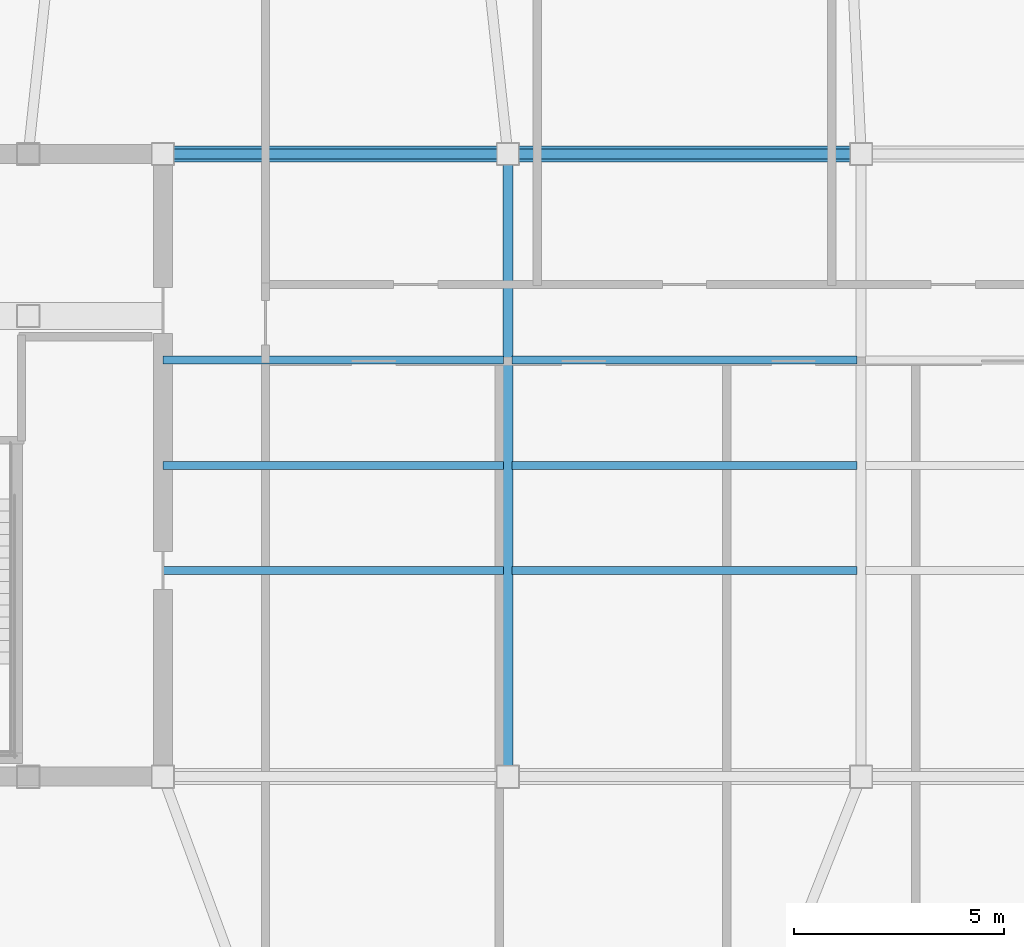
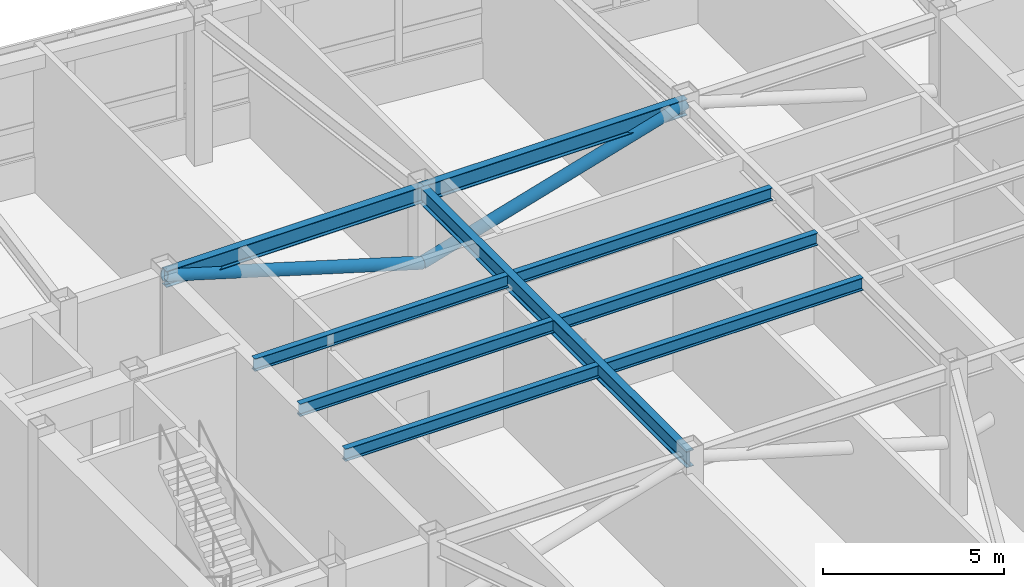
# One storey, part 8 of 23: 9 beams, 2 members.
"""IFC4 building model written with IfcOpenShell, lengths in metres."""

from ifc_helpers import new_model, si_unit, direction, frame, origin, origin_2d, place, context, subcontext, project, spatial, hollow_circle, i_section, extrude, material, material_profile, profile_set, type_object, element, save


model = new_model("IFC4")

# Units and contexts
model_context = context("Model", 3, precision=1e-05, world=origin(), true_north=direction((0.0, 1.0)))
body_context = subcontext(model_context, "Body", "Model", "MODEL_VIEW")
ifc_project = project(units=[si_unit("LENGTHUNIT", "METRE"), si_unit("AREAUNIT", "SQUARE_METRE"), si_unit("VOLUMEUNIT", "CUBIC_METRE"), si_unit("PLANEANGLEUNIT", "RADIAN"), si_unit("MASSUNIT", "GRAM", prefix="KILO")], contexts=[model_context])

# Site, building, storey
site_placement = place(None, origin())
site = spatial("IfcSite", under=ifc_project, at=site_placement, CompositionType="ELEMENT")
building_placement = place(site_placement, origin())
building = spatial("IfcBuilding", under=site, at=building_placement, Name="Voryun Gate Residences", CompositionType="ELEMENT")
storey_placement = place(building_placement, frame((0.0, 0.0, 326.60009765625)))
storey = spatial("IfcBuildingStorey", under=building, at=storey_placement, Name="L80", CompositionType="ELEMENT", Elevation=326.60009765625)

# Beams
ifc_material_1 = material(Name="Steel SM355", Category="steel")
ifc_material_profile_1 = material_profile(ifc_material_1, i_section(OverallWidth=0.239990234375, OverallDepth=0.550048828125, WebThickness=0.011962890625, FlangeThickness=0.02001953125, FilletRadius=0.01806640625, at=origin_2d()), Name="H-550x240x12x20")
ifc_profile_set_1 = profile_set([ifc_material_profile_1], Name="Steel SM355")
beam_type_1 = type_object("IfcBeamType", Name="BM_GIRD_550", PredefinedType="USERDEFINED", material=ifc_profile_set_1)
beam_1_placement = place(storey_placement, frame((-12.39990234375, 7.39990234375, 4.75), z_axis=(1.0, 0.0, 0.0), x_axis=(0.0, 1.0, 0.0)))
element("IfcBeam", 1, at=beam_1_placement, inside=storey, type_object=beam_type_1, Name="BM-L80-SPG1-N", ObjectType="GIRDER", PredefinedType="USERDEFINED", context=body_context, shape_type="SweptSolid", body=[
    extrude(i_section(OverallWidth=0.239990234375, OverallDepth=0.550048828125, WebThickness=0.011962890625, FlangeThickness=0.02001953125, FilletRadius=0.01806640625, at=origin_2d()), origin(), (0.0, 0.0, 1.0), 8.199951171875),
])
beam_2_placement = place(storey_placement, frame((-4.199951171875, 7.39990234375, 4.75), z_axis=(1.0, 0.0, 0.0), x_axis=(0.0, 1.0, 0.0)))
element("IfcBeam", 2, at=beam_2_placement, inside=storey, type_object=beam_type_1, Name="BM-L80-SPG2-N", ObjectType="GIRDER", PredefinedType="USERDEFINED", context=body_context, shape_type="SweptSolid", body=[
    extrude(i_section(OverallWidth=0.239990234375, OverallDepth=0.550048828125, WebThickness=0.011962890625, FlangeThickness=0.02001953125, FilletRadius=0.01806640625, at=origin_2d()), origin(), (0.0, 0.0, 1.0), 8.39990234375),
])
beam_3_placement = place(storey_placement, frame((-4.199951171875, -7.39990234375, 4.75), z_axis=(0.0, 1.0, 0.0), x_axis=(-1.0, 0.0, 0.0)))
element("IfcBeam", 3, at=beam_3_placement, inside=storey, type_object=beam_type_1, Name="BM-L80-SPX-W", ObjectType="GIRDER", PredefinedType="USERDEFINED", context=body_context, shape_type="SweptSolid", body=[
    extrude(i_section(OverallWidth=0.239990234375, OverallDepth=0.550048828125, WebThickness=0.011962890625, FlangeThickness=0.02001953125, FilletRadius=0.01806640625, at=origin_2d()), origin(), (0.0, 0.0, 1.0), 14.7998046875),
])
ifc_material_2 = material(Name="Steel SM355", Category="steel")
ifc_material_profile_2 = material_profile(ifc_material_2, i_section(OverallWidth=0.18994140625, OverallDepth=0.419921875, WebThickness=0.009033203125, FlangeThickness=0.01611328125, FilletRadius=0.01806640625, at=origin_2d()), Name="H-420x190x9x16")
ifc_profile_set_2 = profile_set([ifc_material_profile_2], Name="Steel SM355")
beam_type_2 = type_object("IfcBeamType", Name="BM_SEC_420", PredefinedType="BEAM", material=ifc_profile_set_2)
beam_4_placement = place(storey_placement, frame((-12.39990234375, -2.5, 4.81494140625), z_axis=(1.0, 0.0, 0.0), x_axis=(0.0, 1.0, 0.0)))
element("IfcBeam", 4, at=beam_4_placement, inside=storey, type_object=beam_type_2, Name="BM-L80-SEC-CS1", PredefinedType="BEAM", context=body_context, shape_type="SweptSolid", body=[
    extrude(i_section(OverallWidth=0.18994140625, OverallDepth=0.419921875, WebThickness=0.009033203125, FlangeThickness=0.01611328125, FilletRadius=0.01806640625, at=origin_2d()), origin(), (0.0, 0.0, 1.0), 8.099853515625),
])
beam_5_placement = place(storey_placement, frame((-4.10009765625, -2.5, 4.81494140625), z_axis=(1.0, 0.0, 0.0), x_axis=(0.0, 1.0, 0.0)))
element("IfcBeam", 5, at=beam_5_placement, inside=storey, type_object=beam_type_2, Name="BM-L80-SEC-CS2", PredefinedType="BEAM", context=body_context, shape_type="SweptSolid", body=[
    extrude(i_section(OverallWidth=0.18994140625, OverallDepth=0.419921875, WebThickness=0.009033203125, FlangeThickness=0.01611328125, FilletRadius=0.01806640625, at=origin_2d()), origin(), (0.0, 0.0, 1.0), 8.2001953125),
])
beam_6_placement = place(storey_placement, frame((-12.39990234375, 0.0, 4.81494140625), z_axis=(1.0, 0.0, 0.0), x_axis=(0.0, 1.0, 0.0)))
element("IfcBeam", 6, at=beam_6_placement, inside=storey, type_object=beam_type_2, Name="BM-L80-SEC-CM1", PredefinedType="BEAM", context=body_context, shape_type="SweptSolid", body=[
    extrude(i_section(OverallWidth=0.18994140625, OverallDepth=0.419921875, WebThickness=0.009033203125, FlangeThickness=0.01611328125, FilletRadius=0.01806640625, at=origin_2d()), origin(), (0.0, 0.0, 1.0), 8.099853515625),
])
beam_7_placement = place(storey_placement, frame((-4.10009765625, 0.0, 4.81494140625), z_axis=(1.0, 0.0, 0.0), x_axis=(0.0, 1.0, 0.0)))
element("IfcBeam", 7, at=beam_7_placement, inside=storey, type_object=beam_type_2, Name="BM-L80-SEC-CM2", PredefinedType="BEAM", context=body_context, shape_type="SweptSolid", body=[
    extrude(i_section(OverallWidth=0.18994140625, OverallDepth=0.419921875, WebThickness=0.009033203125, FlangeThickness=0.01611328125, FilletRadius=0.01806640625, at=origin_2d()), origin(), (0.0, 0.0, 1.0), 8.2001953125),
])
beam_8_placement = place(storey_placement, frame((-12.39990234375, 2.5, 4.81494140625), z_axis=(1.0, 0.0, 0.0), x_axis=(0.0, 1.0, 0.0)))
element("IfcBeam", 8, at=beam_8_placement, inside=storey, type_object=beam_type_2, Name="BM-L80-SEC-CN1", PredefinedType="BEAM", context=body_context, shape_type="SweptSolid", body=[
    extrude(i_section(OverallWidth=0.18994140625, OverallDepth=0.419921875, WebThickness=0.009033203125, FlangeThickness=0.01611328125, FilletRadius=0.01806640625, at=origin_2d()), origin(), (0.0, 0.0, 1.0), 8.099853515625),
])
beam_9_placement = place(storey_placement, frame((-4.10009765625, 2.5, 4.81494140625), z_axis=(1.0, 0.0, 0.0), x_axis=(0.0, 1.0, 0.0)))
element("IfcBeam", 9, at=beam_9_placement, inside=storey, type_object=beam_type_2, Name="BM-L80-SEC-CN2", PredefinedType="BEAM", context=body_context, shape_type="SweptSolid", body=[
    extrude(i_section(OverallWidth=0.18994140625, OverallDepth=0.419921875, WebThickness=0.009033203125, FlangeThickness=0.01611328125, FilletRadius=0.01806640625, at=origin_2d()), origin(), (0.0, 0.0, 1.0), 8.2001953125),
])

# Members
ifc_material_3 = material(Name="Steel SM355", Category="steel")
ifc_material_profile_3 = material_profile(ifc_material_3, hollow_circle(Radius=0.18994140625, WallThickness=0.01806640625, at=origin_2d()), Name="CHS-380x18")
ifc_profile_set_3 = profile_set([ifc_material_profile_3], Name="Steel SM355")
member_type = type_object("IfcMemberType", Name="MBR_CROWN_DIAGRID", PredefinedType="BRACE", material=ifc_profile_set_3)
member_1_placement = place(storey_placement, frame((-4.199951171875, 7.39990234375, 2.3798828125), z_axis=(-0.957662114733, 0.0, 0.287894553621), x_axis=(0.0, -1.0, 0.0)))
element("IfcMember", 10, at=member_1_placement, inside=storey, type_object=member_type, Name="L80 Lantern Spine Diagrid Brace 04", PredefinedType="BRACE", context=body_context, shape_type="SweptSolid", body=[
    extrude(hollow_circle(Radius=0.18994140625, WallThickness=0.01806640625, at=origin_2d()), origin(), (0.0, 0.0, 1.0), 8.5625),
])
member_2_placement = place(storey_placement, frame((-4.199951171875, 7.39990234375, 2.3798828125), z_axis=(0.959534525743, 0.0, 0.281591004663), x_axis=(0.0, 1.0, 0.0)))
element("IfcMember", 11, at=member_2_placement, inside=storey, type_object=member_type, Name="L80 Lantern Spine Diagrid Brace 05", PredefinedType="BRACE", context=body_context, shape_type="SweptSolid", body=[
    extrude(hollow_circle(Radius=0.18994140625, WallThickness=0.01806640625, at=origin_2d()), origin(), (0.0, 0.0, 1.0), 8.754150390625),
])

save(model, "model.ifc")
